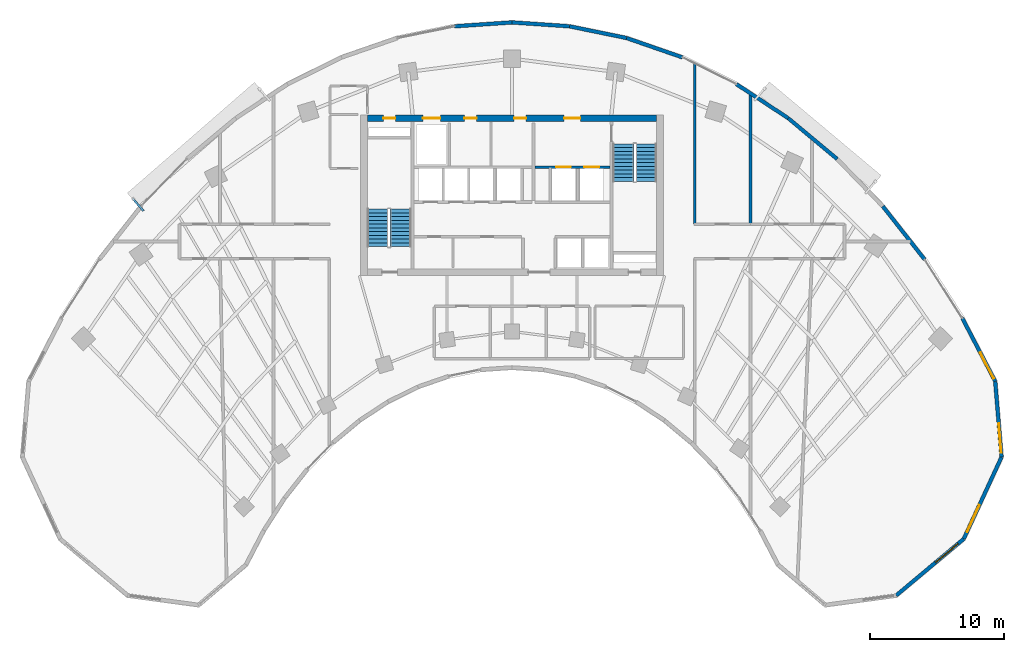
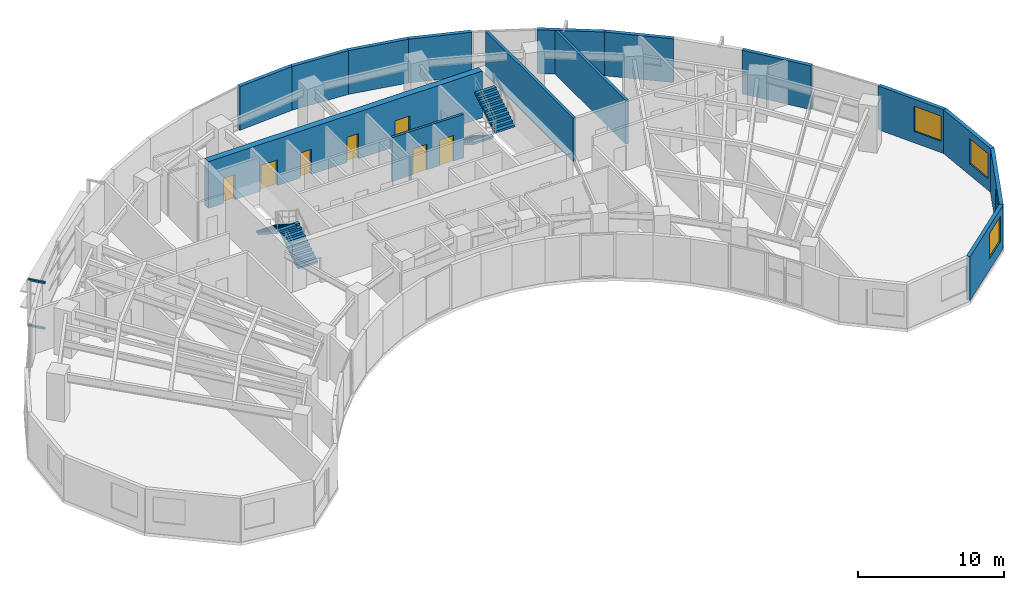
# One storey, part 11 of 14: 15 walls, 7 doors, 4 stair flights, 4 windows, 2 discrete accessories, 11 openings, 2 elements without a shape of their own.
"""IFC4 building model written with IfcOpenShell, lengths in metres."""

from ifc_helpers import new_model, si_unit, direction, frame, frame_2d, origin, origin_2d, place, context, subcontext, project, spatial, polyline, rectangle, outline, extrude, source, transform, mapped, material, layer, layer_set, type_object, type_shapes, element, fill, aggregate, save


model = new_model("IFC4")

# Units and contexts
model_context = context("Model", 3, precision=1e-05, world=origin(), true_north=direction((0.0, 1.0)))
body_context = subcontext(model_context, "Body", "Model", "MODEL_VIEW")
ifc_project = project(units=[si_unit("LENGTHUNIT", "METRE"), si_unit("AREAUNIT", "SQUARE_METRE"), si_unit("VOLUMEUNIT", "CUBIC_METRE"), si_unit("PLANEANGLEUNIT", "RADIAN"), si_unit("MASSUNIT", "GRAM", prefix="KILO")], contexts=[model_context])

# Site, building, storey
site_placement = place(None, origin())
site = spatial("IfcSite", under=ifc_project, at=site_placement, CompositionType="ELEMENT")
building_placement = place(site_placement, origin())
building = spatial("IfcBuilding", under=site, at=building_placement, Name="Breltana Convention Tower", CompositionType="ELEMENT")
storey_placement = place(building_placement, frame((0.0, 0.0, 138.89990234375)))
storey = spatial("IfcBuildingStorey", under=building, at=storey_placement, Name="L33", CompositionType="ELEMENT", Elevation=138.89990234375)

# Wall, openings, doors
ifc_material_1 = material(Name="Concrete C60/75", Category="concrete")
ifc_layer_1 = layer(ifc_material_1, 0.5, Name="Concrete C60/75")
ifc_layer_set_1 = layer_set([ifc_layer_1], Name="Concrete C60/75")
wall_type_1 = type_object("IfcWallType", Name="SW-CORE-500", PredefinedType="SHEAR", material=ifc_layer_set_1)
shared_shape_1 = source(origin(), body_context, "Body", "SweptSolid", [
    extrude(rectangle(XDim=21.60009765625, YDim=0.5, at=frame_2d((10.800048828125, 0.0))), origin(), (0.0, 0.0, 1.0), 3.900146484375),
])
wall_1_placement = place(storey_placement, frame((37.199951171875, 71.949951171875, 0.0), z_axis=(0.0, 0.0, 1.0), x_axis=(1.0, 0.0, 0.0)))
wall_1 = element("IfcWall", 1, at=wall_1_placement, inside=storey, type_object=wall_type_1, Name="L33 North Core Shear Wall", PredefinedType="SHEAR", context=body_context, shape_type="MappedRepresentation", body=[
    mapped(shared_shape_1, transform((0.0, 0.0, 0.0), scale=1.0)),
])
opening_1_placement = place(wall_1_placement, frame((1.199951171875, 0.0, 0.0)))
opening_1 = element("IfcOpeningElement", 2, at=opening_1_placement, cuts=wall_1, Name="Opening D-18", PredefinedType="OPENING", context=body_context, shape_type="SweptSolid", body=[
    extrude(rectangle(XDim=0.89990234375, YDim=2.10009765625, at=frame_2d((0.449951171875, 1.050048828125))), frame((0.0, 0.260009765625, 0.0), z_axis=(0.0, -1.0, 0.0), x_axis=(1.0, 0.0, 0.0)), (0.0, 0.0, 1.0), 0.52001953125),
])
opening_2_placement = place(wall_1_placement, frame((14.699951171875, 0.0, 0.0)))
opening_2 = element("IfcOpeningElement", 3, at=opening_2_placement, cuts=wall_1, Name="Opening D-09", PredefinedType="OPENING", context=body_context, shape_type="SweptSolid", body=[
    extrude(rectangle(XDim=1.199951171875, YDim=2.14990234375, at=frame_2d((0.60009765625, 1.074951171875))), frame((0.0, 0.260009765625, 0.0), z_axis=(0.0, -1.0, 0.0), x_axis=(1.0, 0.0, 0.0)), (0.0, 0.0, 1.0), 0.52001953125),
])
opening_3_placement = place(wall_1_placement, frame((4.14990234375, 0.0, 0.0)))
opening_3 = element("IfcOpeningElement", 4, at=opening_3_placement, cuts=wall_1, Name="Opening LD-01", PredefinedType="OPENING", context=body_context, shape_type="SweptSolid", body=[
    extrude(rectangle(XDim=1.300048828125, YDim=2.14990234375, at=frame_2d((0.64990234375, 1.074951171875))), frame((0.0, 0.260009765625, 0.0), z_axis=(0.0, -1.0, 0.0), x_axis=(1.0, 0.0, 0.0)), (0.0, 0.0, 1.0), 0.52001953125),
])
opening_4_placement = place(wall_1_placement, frame((7.25, 0.0, 0.0)))
opening_4 = element("IfcOpeningElement", 5, at=opening_4_placement, cuts=wall_1, Name="Opening D-18", PredefinedType="OPENING", context=body_context, shape_type="SweptSolid", body=[
    extrude(rectangle(XDim=0.89990234375, YDim=2.10009765625, at=frame_2d((0.449951171875, 1.050048828125))), frame((0.0, 0.260009765625, 0.0), z_axis=(0.0, -1.0, 0.0), x_axis=(1.0, 0.0, 0.0)), (0.0, 0.0, 1.0), 0.52001953125),
])
opening_5_placement = place(wall_1_placement, frame((10.949951171875, 0.0, 0.0)))
opening_5 = element("IfcOpeningElement", 6, at=opening_5_placement, cuts=wall_1, Name="Opening D-18", PredefinedType="OPENING", context=body_context, shape_type="SweptSolid", body=[
    extrude(rectangle(XDim=0.89990234375, YDim=2.10009765625, at=frame_2d((0.449951171875, 1.050048828125))), frame((0.0, 0.260009765625, 0.0), z_axis=(0.0, -1.0, 0.0), x_axis=(1.0, 0.0, 0.0)), (0.0, 0.0, 1.0), 0.52001953125),
])
ifc_material_2 = material(Name="Steel Riser Fire Door", Category="steel")
door_type_1 = type_object("IfcDoorType", Name="DR-FD60-900", OperationType="NOTDEFINED", PredefinedType="DOOR", material=ifc_material_2)
shared_shape_2 = source(origin(), body_context, "Body", "SweptSolid", [
    extrude(rectangle(XDim=0.89990234375, YDim=2.10009765625, at=frame_2d((0.449951171875, 1.050048828125))), frame((0.0, 0.02490234375, 0.0), z_axis=(0.0, -1.0, 0.0), x_axis=(1.0, 0.0, 0.0)), (0.0, 0.0, 1.0), 0.050048828125),
])
type_shapes(door_type_1, [shared_shape_2])
door_1_placement = place(opening_1_placement, origin())
door_1 = element("IfcDoor", 7, at=door_1_placement, inside=storey, type_object=door_type_1, Name="L33 Core Riser Access Door D-L33-RS1", OperationType="SINGLE_SWING_LEFT", OverallHeight=2.10009765625, OverallWidth=0.89990234375, PredefinedType="DOOR", context=body_context, shape_type="MappedRepresentation", body=[
    mapped(shared_shape_2, transform((0.0, 0.0, 0.0), scale=1.0)),
])
fill(opening_1, door_1)
door_2_placement = place(opening_4_placement, origin())
door_2 = element("IfcDoor", 8, at=door_2_placement, inside=storey, type_object=door_type_1, Name="L33 interior door D-L33-CRA1", OperationType="SINGLE_SWING_LEFT", OverallHeight=2.10009765625, OverallWidth=0.89990234375, PredefinedType="DOOR", context=body_context, shape_type="MappedRepresentation", body=[
    mapped(shared_shape_2, transform((0.0, 0.0, 0.0), scale=1.0)),
])
fill(opening_4, door_2)
door_3_placement = place(opening_5_placement, origin())
door_3 = element("IfcDoor", 9, at=door_3_placement, inside=storey, type_object=door_type_1, Name="L33 interior door D-L33-CRA2", OperationType="SINGLE_SWING_RIGHT", OverallHeight=2.10009765625, OverallWidth=0.89990234375, PredefinedType="DOOR", context=body_context, shape_type="MappedRepresentation", body=[
    mapped(shared_shape_2, transform((0.0, 0.0, 0.0), scale=1.0)),
])
fill(opening_5, door_3)
ifc_material_3 = material(Name="Steel Fire Lobby Door", Category="steel")
door_type_2 = type_object("IfcDoorType", Name="DR-FD120-1200", OperationType="NOTDEFINED", PredefinedType="DOOR", material=ifc_material_3)
shared_shape_3 = source(origin(), body_context, "Body", "SweptSolid", [
    extrude(rectangle(XDim=1.199951171875, YDim=2.14990234375, at=frame_2d((0.60009765625, 1.074951171875))), frame((0.0, 0.02490234375, 0.0), z_axis=(0.0, -1.0, 0.0), x_axis=(1.0, 0.0, 0.0)), (0.0, 0.0, 1.0), 0.050048828125),
])
type_shapes(door_type_2, [shared_shape_3])
door_4_placement = place(opening_2_placement, origin())
door_4 = element("IfcDoor", 10, at=door_4_placement, inside=storey, type_object=door_type_2, Name="L33 interior door D-L33-FFL-N", OperationType="SINGLE_SWING_RIGHT", OverallHeight=2.14990234375, OverallWidth=1.199951171875, PredefinedType="DOOR", context=body_context, shape_type="MappedRepresentation", body=[
    mapped(shared_shape_3, transform((0.0, 0.0, 0.0), scale=1.0)),
])
fill(opening_2, door_4)
ifc_material_4 = material(Name="Stainless Steel Brushed", Category="steel")
door_type_3 = type_object("IfcDoorType", Name="DR-LD-SRV-1300", OperationType="DOUBLE_DOOR_SLIDING", PredefinedType="DOOR", material=ifc_material_4)
shared_shape_4 = source(origin(), body_context, "Body", "SweptSolid", [
    extrude(rectangle(XDim=1.300048828125, YDim=2.14990234375, at=frame_2d((0.64990234375, 1.074951171875))), frame((0.0, 0.02490234375, 0.0), z_axis=(0.0, -1.0, 0.0), x_axis=(1.0, 0.0, 0.0)), (0.0, 0.0, 1.0), 0.050048828125),
])
type_shapes(door_type_3, [shared_shape_4])
door_5_placement = place(opening_3_placement, origin())
door_5 = element("IfcDoor", 11, at=door_5_placement, inside=storey, type_object=door_type_3, Name="L33 Lift Landing Door D-L33-LD-SV1", OperationType="DOUBLE_DOOR_SLIDING", OverallHeight=2.14990234375, OverallWidth=1.300048828125, PredefinedType="DOOR", context=body_context, shape_type="MappedRepresentation", body=[
    mapped(shared_shape_4, transform((0.0, 0.0, 0.0), scale=1.0)),
])
fill(opening_3, door_5)

# Wall, opening, window
ifc_material_5 = material(Name="Limestone Buff Insulated Wall", Category="masonry")
ifc_layer_2 = layer(ifc_material_5, 0.280029296875, Name="Limestone Buff Insulated Wall")
ifc_layer_set_2 = layer_set([ifc_layer_2], Name="Limestone Buff Insulated Wall")
wall_type_2 = type_object("IfcWallType", Name="WL-EXT-NOSE-280", PredefinedType="SOLIDWALL", material=ifc_layer_set_2)
shared_shape_5 = source(origin(), body_context, "Body", "SweptSolid", [
    extrude(rectangle(XDim=5.673583984375, YDim=0.280029296875, at=frame_2d((2.8369140625, 0.0))), origin(), (0.0, 0.0, 1.0), 3.650146484375),
])
wall_2_placement = place(storey_placement, frame((84.07763671875, 52.305419921875, 0.0), z_axis=(0.0, 0.0, 1.0), x_axis=(0.083309007867, -0.996523762491, 0.0)))
wall_2 = element("IfcWall", 12, at=wall_2_placement, inside=storey, type_object=wall_type_2, Name="L33 curved limestone nose wall E1", PredefinedType="SOLIDWALL", context=body_context, shape_type="MappedRepresentation", body=[
    mapped(shared_shape_5, transform((0.0, 0.0, 0.0), scale=1.0)),
])
opening_6_placement = place(wall_2_placement, frame((3.155029296875, 0.0, 0.949951171875)))
opening_6 = element("IfcOpeningElement", 13, at=opening_6_placement, cuts=wall_2, Name="Opening W-03", PredefinedType="OPENING", context=body_context, shape_type="SweptSolid", body=[
    extrude(rectangle(XDim=2.199951171875, YDim=2.10009765625, at=frame_2d((1.10009765625, 1.050048828125))), frame((0.0, 0.14990234375, 0.0), z_axis=(0.0, -1.0, 0.0), x_axis=(1.0, 0.0, 0.0)), (0.0, 0.0, 1.0), 0.300048828125),
])
ifc_material_6 = material(Name="Glass Low-E Insulated Window", Category="glass")
window_type = type_object("IfcWindowType", Name="WN-NOSE-2200X2100", PartitioningType="TRIPLE_PANEL_VERTICAL", PredefinedType="WINDOW", material=ifc_material_6)
shared_shape_6 = source(origin(), body_context, "Body", "SweptSolid", [
    extrude(rectangle(XDim=2.199951171875, YDim=2.10009765625, at=frame_2d((1.10009765625, 1.050048828125))), frame((0.0, 0.030029296875, 0.0), z_axis=(0.0, -1.0, 0.0), x_axis=(1.0, 0.0, 0.0)), (0.0, 0.0, 1.0), 0.06005859375),
])
type_shapes(window_type, [shared_shape_6])
window_1_placement = place(opening_6_placement, origin())
window_1 = element("IfcWindow", 14, at=window_1_placement, inside=storey, type_object=window_type, Name="L33 nose window E1", OverallHeight=2.10009765625, OverallWidth=2.199951171875, PartitioningType="TRIPLE_PANEL_VERTICAL", PredefinedType="WINDOW", context=body_context, shape_type="MappedRepresentation", body=[
    mapped(shared_shape_6, transform((0.0, 0.0, 0.0), scale=1.0)),
])
fill(opening_6, window_1)

shared_shape_7 = source(origin(), body_context, "Body", "SweptSolid", [
    extrude(rectangle(XDim=6.731689453125, YDim=0.280029296875, at=frame_2d((3.36572265625, 0.0))), origin(), (0.0, 0.0, 1.0), 3.650146484375),
])
wall_3_placement = place(storey_placement, frame((84.55029296875, 46.651611328125, 0.0), z_axis=(0.0, 0.0, 1.0), x_axis=(-0.419644552709, -0.907688520023, 0.0)))
wall_3 = element("IfcWall", 15, at=wall_3_placement, inside=storey, type_object=wall_type_2, Name="L33 curved limestone nose wall E2", PredefinedType="SOLIDWALL", context=body_context, shape_type="MappedRepresentation", body=[
    mapped(shared_shape_7, transform((0.0, 0.0, 0.0), scale=1.0)),
])
opening_7_placement = place(wall_3_placement, frame((3.948974609375, 0.0, 0.949951171875)))
opening_7 = element("IfcOpeningElement", 16, at=opening_7_placement, cuts=wall_3, Name="Opening W-03", PredefinedType="OPENING", context=body_context, shape_type="SweptSolid", body=[
    extrude(rectangle(XDim=2.199951171875, YDim=2.10009765625, at=frame_2d((1.10009765625, 1.050048828125))), frame((0.0, 0.14990234375, 0.0), z_axis=(0.0, -1.0, 0.0), x_axis=(1.0, 0.0, 0.0)), (0.0, 0.0, 1.0), 0.300048828125),
])
window_2_placement = place(opening_7_placement, origin())
window_2 = element("IfcWindow", 17, at=window_2_placement, inside=storey, type_object=window_type, Name="L33 nose window E2", OverallHeight=2.10009765625, OverallWidth=2.199951171875, PartitioningType="TRIPLE_PANEL_VERTICAL", PredefinedType="WINDOW", context=body_context, shape_type="MappedRepresentation", body=[
    mapped(shared_shape_6, transform((0.0, 0.0, 0.0), scale=1.0)),
])
fill(opening_7, window_2)

shared_shape_8 = source(origin(), body_context, "Body", "SweptSolid", [
    extrude(rectangle(XDim=6.572998046875, YDim=0.280029296875, at=frame_2d((3.28662109375, 0.0))), origin(), (0.0, 0.0, 1.0), 3.650146484375),
])
wall_4_placement = place(storey_placement, frame((81.725341796875, 40.541259765625, 0.0), z_axis=(0.0, 0.0, 1.0), x_axis=(-0.766715154163, -0.641987439423, 0.0)))
wall_4 = element("IfcWall", 18, at=wall_4_placement, inside=storey, type_object=wall_type_2, Name="L33 curved limestone nose wall E3", PredefinedType="SOLIDWALL", context=body_context, shape_type="MappedRepresentation", body=[
    mapped(shared_shape_8, transform((0.0, 0.0, 0.0), scale=1.0)),
])
opening_8_placement = place(wall_4_placement, frame((0.543212890625, 0.0, 0.949951171875)))
opening_8 = element("IfcOpeningElement", 19, at=opening_8_placement, cuts=wall_4, Name="Opening W-03", PredefinedType="OPENING", context=body_context, shape_type="SweptSolid", body=[
    extrude(rectangle(XDim=2.199951171875, YDim=2.10009765625, at=frame_2d((1.10009765625, 1.050048828125))), frame((0.0, 0.14990234375, 0.0), z_axis=(0.0, -1.0, 0.0), x_axis=(1.0, 0.0, 0.0)), (0.0, 0.0, 1.0), 0.300048828125),
])
window_3_placement = place(opening_8_placement, origin())
window_3 = element("IfcWindow", 20, at=window_3_placement, inside=storey, type_object=window_type, Name="L33 nose window E3", OverallHeight=2.10009765625, OverallWidth=2.199951171875, PartitioningType="TRIPLE_PANEL_VERTICAL", PredefinedType="WINDOW", context=body_context, shape_type="MappedRepresentation", body=[
    mapped(shared_shape_6, transform((0.0, 0.0, 0.0), scale=1.0)),
])
fill(opening_8, window_3)

shared_shape_9 = source(origin(), body_context, "Body", "SweptSolid", [
    extrude(rectangle(XDim=5.315185546875, YDim=0.280029296875, at=frame_2d((2.65771484375, 0.0))), origin(), (0.0, 0.0, 1.0), 3.650146484375),
])
wall_5_placement = place(storey_placement, frame((81.623291015625, 57.02001953125, 0.0), z_axis=(0.0, 0.0, 1.0), x_axis=(0.461760527822, -0.887004630735, 0.0)))
wall_5 = element("IfcWall", 21, at=wall_5_placement, inside=storey, type_object=wall_type_2, Name="L33 curved limestone nose wall E33", PredefinedType="SOLIDWALL", context=body_context, shape_type="MappedRepresentation", body=[
    mapped(shared_shape_9, transform((0.0, 0.0, 0.0), scale=1.0)),
])
opening_9_placement = place(wall_5_placement, frame((2.886474609375, 0.0, 0.949951171875)))
opening_9 = element("IfcOpeningElement", 22, at=opening_9_placement, cuts=wall_5, Name="Opening W-03", PredefinedType="OPENING", context=body_context, shape_type="SweptSolid", body=[
    extrude(rectangle(XDim=2.199951171875, YDim=2.10009765625, at=frame_2d((1.10009765625, 1.050048828125))), frame((0.0, 0.14990234375, 0.0), z_axis=(0.0, -1.0, 0.0), x_axis=(1.0, 0.0, 0.0)), (0.0, 0.0, 1.0), 0.300048828125),
])
window_4_placement = place(opening_9_placement, origin())
window_4 = element("IfcWindow", 23, at=window_4_placement, inside=storey, type_object=window_type, Name="L33 nose window E33", OverallHeight=2.10009765625, OverallWidth=2.199951171875, PartitioningType="TRIPLE_PANEL_VERTICAL", PredefinedType="WINDOW", context=body_context, shape_type="MappedRepresentation", body=[
    mapped(shared_shape_6, transform((0.0, 0.0, 0.0), scale=1.0)),
])
fill(opening_9, window_4)

# Walls
shared_shape_10 = source(origin(), body_context, "Body", "SweptSolid", [
    extrude(rectangle(XDim=5.05810546875, YDim=0.280029296875, at=frame_2d((2.529052734375, 0.0))), origin(), (0.0, 0.0, 1.0), 3.650146484375),
])
wall_6_placement = place(storey_placement, frame((75.684814453125, 65.37646484375, 0.0), z_axis=(0.0, 0.0, 1.0), x_axis=(0.618145507434, -0.786063694391, 0.0)))
element("IfcWall", 24, at=wall_6_placement, inside=storey, type_object=wall_type_2, Name="L33 curved limestone nose wall E32", PredefinedType="SOLIDWALL", context=body_context, shape_type="MappedRepresentation", body=[
    mapped(shared_shape_10, transform((0.0, 0.0, 0.0), scale=1.0)),
])
shared_shape_11 = source(origin(), body_context, "Body", "SweptSolid", [
    extrude(rectangle(XDim=4.76220703125, YDim=0.280029296875, at=frame_2d((2.381103515625, 0.0))), origin(), (0.0, 0.0, 1.0), 3.650146484375),
])
wall_7_placement = place(storey_placement, frame((68.6181640625, 71.957763671875, 0.0), z_axis=(0.0, 0.0, 1.0), x_axis=(0.767952279762, -0.640507061638, 0.0)))
element("IfcWall", 25, at=wall_7_placement, inside=storey, type_object=wall_type_2, Name="L33 curved limestone nose wall E30", PredefinedType="SOLIDWALL", context=body_context, shape_type="MappedRepresentation", body=[
    mapped(shared_shape_11, transform((0.0, 0.0, 0.0), scale=1.0)),
])
shared_shape_12 = source(origin(), body_context, "Body", "SweptSolid", [
    extrude(rectangle(XDim=4.625732421875, YDim=0.280029296875, at=frame_2d((2.31298828125, 0.0))), origin(), (0.0, 0.0, 1.0), 3.650146484375),
])
wall_8_placement = place(storey_placement, frame((64.751220703125, 74.496337890625, 0.0), z_axis=(0.0, 0.0, 1.0), x_axis=(0.83595938331, -0.548791316855, 0.0)))
element("IfcWall", 26, at=wall_8_placement, inside=storey, type_object=wall_type_2, Name="L33 curved limestone nose wall E29", PredefinedType="SOLIDWALL", context=body_context, shape_type="MappedRepresentation", body=[
    mapped(shared_shape_12, transform((0.0, 0.0, 0.0), scale=1.0)),
])
shared_shape_13 = source(origin(), body_context, "Body", "SweptSolid", [
    extrude(rectangle(XDim=4.408935546875, YDim=0.280029296875, at=frame_2d((2.20458984375, 0.0))), origin(), (0.0, 0.0, 1.0), 3.650146484375),
])
wall_9_placement = place(storey_placement, frame((56.54833984375, 77.94091796875, 0.0), z_axis=(0.0, 0.0, 1.0), x_axis=(0.944879374121, -0.327418643881, 0.0)))
element("IfcWall", 27, at=wall_9_placement, inside=storey, type_object=wall_type_2, Name="L33 curved limestone nose wall E28", PredefinedType="SOLIDWALL", context=body_context, shape_type="MappedRepresentation", body=[
    mapped(shared_shape_13, transform((0.0, 0.0, 0.0), scale=1.0)),
])
shared_shape_14 = source(origin(), body_context, "Body", "SweptSolid", [
    extrude(rectangle(XDim=4.3408203125, YDim=0.280029296875, at=frame_2d((2.17041015625, 0.0))), origin(), (0.0, 0.0, 1.0), 3.650146484375),
])
wall_10_placement = place(storey_placement, frame((52.2958984375, 78.81298828125, 0.0), z_axis=(0.0, 0.0, 1.0), x_axis=(0.979612918634, -0.20089432457, 0.0)))
element("IfcWall", 28, at=wall_10_placement, inside=storey, type_object=wall_type_2, Name="L33 curved limestone nose wall E27", PredefinedType="SOLIDWALL", context=body_context, shape_type="MappedRepresentation", body=[
    mapped(shared_shape_14, transform((0.0, 0.0, 0.0), scale=1.0)),
])
shared_shape_15 = source(origin(), body_context, "Body", "SweptSolid", [
    extrude(rectangle(XDim=4.3056640625, YDim=0.280029296875, at=frame_2d((2.15283203125, 0.0))), origin(), (0.0, 0.0, 1.0), 3.650146484375),
])
for number, where, z_axis, x_axis, name in (
    (29, (43.7041015625, 78.81298828125, 0.0), (0.0, 0.0, 1.0), (0.997705679258, 0.067700646797, 0.0), "L33 curved limestone nose wall E25"),
    (30, (48.0, 79.1044921875, 0.0), (0.0, 0.0, 1.0), (0.997705679258, -0.067700646797, 0.0), "L33 curved limestone nose wall E26"),
):
    element("IfcWall", number, at=place(storey_placement, frame(where, z_axis=z_axis, x_axis=x_axis)), inside=storey, type_object=wall_type_2, Name=name, PredefinedType="SOLIDWALL", context=body_context, shape_type="MappedRepresentation", body=[
        mapped(shared_shape_15, transform((0.0, 0.0, 0.0), scale=1.0)),
    ])

# Wall, openings, doors
ifc_material_7 = material(Name="Autoclaved Aerated Concrete Block", Category="concrete")
ifc_layer_3 = layer(ifc_material_7, 0.199951171875, Name="Autoclaved Aerated Concrete Block")
ifc_layer_set_3 = layer_set([ifc_layer_3], Name="Autoclaved Aerated Concrete Block")
wall_type_3 = type_object("IfcWallType", Name="WL-SHAFT-200", PredefinedType="SOLIDWALL", material=ifc_layer_set_3)
shared_shape_16 = source(origin(), body_context, "Body", "SweptSolid", [
    extrude(rectangle(XDim=5.6201171875, YDim=0.199951171875, at=frame_2d((2.81005859375, 0.0))), origin(), (0.0, 0.0, 1.0), 3.650146484375),
])
wall_11_placement = place(storey_placement, frame((49.699951171875, 68.300048828125, 0.0), z_axis=(0.0, 0.0, 1.0), x_axis=(1.0, 0.0, 0.0)))
wall_11 = element("IfcWall", 31, at=wall_11_placement, inside=storey, type_object=wall_type_3, Name="L33 interior partition W-L33-FFL-S", PredefinedType="SOLIDWALL", context=body_context, shape_type="MappedRepresentation", body=[
    mapped(shared_shape_16, transform((0.0, 0.0, 0.0), scale=1.0)),
])
opening_10_placement = place(wall_11_placement, frame((1.60009765625, 0.0, 0.0)))
opening_10 = element("IfcOpeningElement", 32, at=opening_10_placement, cuts=wall_11, Name="Opening LD-03", PredefinedType="OPENING", context=body_context, shape_type="SweptSolid", body=[
    extrude(rectangle(XDim=1.10009765625, YDim=2.14990234375, at=frame_2d((0.550048828125, 1.074951171875))), frame((0.0, 0.10986328125, 0.0), z_axis=(0.0, -1.0, 0.0), x_axis=(1.0, 0.0, 0.0)), (0.0, 0.0, 1.0), 0.219970703125),
])
opening_11_placement = place(wall_11_placement, frame((3.699951171875, 0.0, 0.0)))
opening_11 = element("IfcOpeningElement", 33, at=opening_11_placement, cuts=wall_11, Name="Opening LD-03", PredefinedType="OPENING", context=body_context, shape_type="SweptSolid", body=[
    extrude(rectangle(XDim=1.10009765625, YDim=2.14990234375, at=frame_2d((0.550048828125, 1.074951171875))), frame((0.0, 0.10986328125, 0.0), z_axis=(0.0, -1.0, 0.0), x_axis=(1.0, 0.0, 0.0)), (0.0, 0.0, 1.0), 0.219970703125),
])
door_type_4 = type_object("IfcDoorType", Name="DR-LD-FF-1100", OperationType="DOUBLE_DOOR_SLIDING", PredefinedType="DOOR", material=ifc_material_4)
shared_shape_17 = source(origin(), body_context, "Body", "SweptSolid", [
    extrude(rectangle(XDim=1.10009765625, YDim=2.14990234375, at=frame_2d((0.550048828125, 1.074951171875))), frame((0.0, 0.02490234375, 0.0), z_axis=(0.0, -1.0, 0.0), x_axis=(1.0, 0.0, 0.0)), (0.0, 0.0, 1.0), 0.050048828125),
])
type_shapes(door_type_4, [shared_shape_17])
door_6_placement = place(opening_10_placement, origin())
door_6 = element("IfcDoor", 34, at=door_6_placement, inside=storey, type_object=door_type_4, Name="L33 Lift Landing Door D-L33-LD-FL1", OperationType="DOUBLE_DOOR_SLIDING", OverallHeight=2.14990234375, OverallWidth=1.10009765625, PredefinedType="DOOR", context=body_context, shape_type="MappedRepresentation", body=[
    mapped(shared_shape_17, transform((0.0, 0.0, 0.0), scale=1.0)),
])
fill(opening_10, door_6)
door_7_placement = place(opening_11_placement, origin())
door_7 = element("IfcDoor", 35, at=door_7_placement, inside=storey, type_object=door_type_4, Name="L33 Lift Landing Door D-L33-LD-FL2", OperationType="DOUBLE_DOOR_SLIDING", OverallHeight=2.14990234375, OverallWidth=1.10009765625, PredefinedType="DOOR", context=body_context, shape_type="MappedRepresentation", body=[
    mapped(shared_shape_17, transform((0.0, 0.0, 0.0), scale=1.0)),
])
fill(opening_11, door_7)

# Walls
ifc_material_8 = material(Name="Autoclaved Aerated Masonry Blockwork", Category="masonry")
ifc_layer_4 = layer(ifc_material_8, 0.2099609375, Name="Autoclaved Aerated Masonry Blockwork")
ifc_layer_set_4 = layer_set([ifc_layer_4], Name="Autoclaved Aerated Masonry Blockwork")
wall_type_4 = type_object("IfcWallType", Name="WL-PART-200", PredefinedType="PARTITIONING", material=ifc_layer_set_4)
shared_shape_18 = source(origin(), body_context, "Body", "SweptSolid", [
    extrude(rectangle(XDim=9.73583984375, YDim=0.2099609375, at=frame_2d((4.867919921875, 0.0))), origin(), (0.0, 0.0, 1.0), 3.650146484375),
])
wall_12_placement = place(storey_placement, frame((65.800048828125, 64.06005859375, 0.0), z_axis=(0.0, 0.0, 1.0), x_axis=(0.0, 1.0, 0.0)))
element("IfcWall", 36, at=wall_12_placement, inside=storey, type_object=wall_type_4, Name="L33 interior partition W-L33-ZEN1-E", PredefinedType="PARTITIONING", context=body_context, shape_type="MappedRepresentation", body=[
    mapped(shared_shape_18, transform((0.0, 0.0, 0.0), scale=1.0)),
])
shared_shape_19 = source(origin(), body_context, "Body", "SweptSolid", [
    extrude(rectangle(XDim=11.9873046875, YDim=0.2099609375, at=frame_2d((5.99365234375, 0.0))), origin(), (0.0, 0.0, 1.0), 3.650146484375),
])
wall_13_placement = place(storey_placement, frame((61.639892578125, 64.0400390625, 0.0), z_axis=(0.0, 0.0, 1.0), x_axis=(0.0, 1.0, 0.0)))
element("IfcWall", 37, at=wall_13_placement, inside=storey, type_object=wall_type_4, Name="L33 interior partition W-L33-ZODD-EN", PredefinedType="PARTITIONING", context=body_context, shape_type="MappedRepresentation", body=[
    mapped(shared_shape_19, transform((0.0, 0.0, 0.0), scale=1.0)),
])

# Stair, stair flights
ifc_material_9 = material(Name="Concrete C40/50", Category="concrete")
stair_type = type_object("IfcStairType", Name="ST-DOG-1560-R177", PredefinedType="HALF_TURN_STAIR", material=ifc_material_9)
stair_1_placement = place(storey_placement, origin())
stair_1 = element("IfcStair", 38, at=stair_1_placement, inside=storey, type_object=stair_type, Name="L33 Protected Core Exit Stair ST-1", PredefinedType="HALF_TURN_STAIR")
stair_flight_type = type_object("IfcStairFlightType", Name="STF-DOG-1560-N11-R177", PredefinedType="STRAIGHT", material=ifc_material_9)
stair_flight_1_placement = place(storey_placement, frame((39.68994140625, 62.360107421875, 0.0), z_axis=(0.0, 0.0, 1.0), x_axis=(0.0, 1.0, 0.0)))
stair_flight_1 = element("IfcStairFlight", 39, at=stair_flight_1_placement, type_object=stair_flight_type, Name="ST-1 flight 1", NumberOfRisers=11, NumberOfTreads=10, PredefinedType="STRAIGHT", RiserHeight=0.177272727, TreadLength=0.28, context=body_context, shape_type="SweptSolid", body=[
    extrude(outline(polyline([(0.0, 0.0), (0.0, 0.17724609375), (0.280029296875, 0.17724609375), (0.280029296875, 0.3544921875), (0.56005859375, 0.3544921875), (0.56005859375, 0.53173828125), (0.840087890625, 0.53173828125), (0.840087890625, 0.708984375), (1.1201171875, 0.708984375), (1.1201171875, 0.886474609375), (1.39990234375, 0.886474609375), (1.39990234375, 1.063720703125), (1.679931640625, 1.063720703125), (1.679931640625, 1.240966796875), (1.9599609375, 1.240966796875), (1.9599609375, 1.418212890625), (2.239990234375, 1.418212890625), (2.239990234375, 1.595458984375), (2.52001953125, 1.595458984375), (2.52001953125, 1.772705078125), (2.800048828125, 1.772705078125), (2.800048828125, 1.949951171875), (2.800048828125, 1.59521484375), (0.2802734375, 0.0), (0.0, 0.0)])), frame((0.0, 0.780029296875, 0.0), z_axis=(0.0, -1.0, 0.0), x_axis=(1.0, 0.0, 0.0)), (0.0, 0.0, 1.0), 1.56005859375),
])
stair_flight_2_placement = place(storey_placement, frame((37.97998046875, 65.159912109375, 1.9501953125), z_axis=(0.0, 0.0, 1.0), x_axis=(0.0, -1.0, 0.0)))
stair_flight_2 = element("IfcStairFlight", 40, at=stair_flight_2_placement, type_object=stair_flight_type, Name="ST-1 flight 2", NumberOfRisers=11, NumberOfTreads=10, PredefinedType="STRAIGHT", RiserHeight=0.177272727, TreadLength=0.28, context=body_context, shape_type="SweptSolid", body=[
    extrude(outline(polyline([(0.0, 0.0), (0.0, 0.17724609375), (0.280029296875, 0.17724609375), (0.280029296875, 0.3544921875), (0.56005859375, 0.3544921875), (0.56005859375, 0.53173828125), (0.840087890625, 0.53173828125), (0.840087890625, 0.708984375), (1.1201171875, 0.708984375), (1.1201171875, 0.886474609375), (1.39990234375, 0.886474609375), (1.39990234375, 1.063720703125), (1.679931640625, 1.063720703125), (1.679931640625, 1.240966796875), (1.9599609375, 1.240966796875), (1.9599609375, 1.418212890625), (2.239990234375, 1.418212890625), (2.239990234375, 1.595458984375), (2.52001953125, 1.595458984375), (2.52001953125, 1.772705078125), (2.800048828125, 1.772705078125), (2.800048828125, 1.949951171875), (2.800048828125, 1.59521484375), (0.2802734375, 0.0), (0.0, 0.0)])), frame((0.0, 0.780029296875, 0.0), z_axis=(0.0, -1.0, 0.0), x_axis=(1.0, 0.0, 0.0)), (0.0, 0.0, 1.0), 1.56005859375),
])
aggregate(stair_1, [stair_flight_1, stair_flight_2])

stair_2_placement = place(storey_placement, origin())
stair_2 = element("IfcStair", 41, at=stair_2_placement, inside=storey, type_object=stair_type, Name="L33 Protected Core Exit Stair ST-2", PredefinedType="HALF_TURN_STAIR")
stair_flight_3_placement = place(storey_placement, frame((56.31005859375, 70.0400390625, 0.0), z_axis=(0.0, 0.0, 1.0), x_axis=(0.0, -1.0, 0.0)))
stair_flight_3 = element("IfcStairFlight", 42, at=stair_flight_3_placement, type_object=stair_flight_type, Name="ST-2 flight 1", NumberOfRisers=11, NumberOfTreads=10, PredefinedType="STRAIGHT", RiserHeight=0.177272727, TreadLength=0.28, context=body_context, shape_type="SweptSolid", body=[
    extrude(outline(polyline([(0.0, 0.0), (0.0, 0.17724609375), (0.280029296875, 0.17724609375), (0.280029296875, 0.3544921875), (0.56005859375, 0.3544921875), (0.56005859375, 0.53173828125), (0.840087890625, 0.53173828125), (0.840087890625, 0.708984375), (1.1201171875, 0.708984375), (1.1201171875, 0.886474609375), (1.39990234375, 0.886474609375), (1.39990234375, 1.063720703125), (1.679931640625, 1.063720703125), (1.679931640625, 1.240966796875), (1.9599609375, 1.240966796875), (1.9599609375, 1.418212890625), (2.239990234375, 1.418212890625), (2.239990234375, 1.595458984375), (2.52001953125, 1.595458984375), (2.52001953125, 1.772705078125), (2.800048828125, 1.772705078125), (2.800048828125, 1.949951171875), (2.800048828125, 1.59521484375), (0.2802734375, 0.0), (0.0, 0.0)])), frame((0.0, 0.780029296875, 0.0), z_axis=(0.0, -1.0, 0.0), x_axis=(1.0, 0.0, 0.0)), (0.0, 0.0, 1.0), 1.56005859375),
])
stair_flight_4_placement = place(storey_placement, frame((58.02001953125, 67.239990234375, 1.9501953125), z_axis=(0.0, 0.0, 1.0), x_axis=(0.0, 1.0, 0.0)))
stair_flight_4 = element("IfcStairFlight", 43, at=stair_flight_4_placement, type_object=stair_flight_type, Name="ST-2 flight 2", NumberOfRisers=11, NumberOfTreads=10, PredefinedType="STRAIGHT", RiserHeight=0.177272727, TreadLength=0.28, context=body_context, shape_type="SweptSolid", body=[
    extrude(outline(polyline([(0.0, 0.0), (0.0, 0.17724609375), (0.280029296875, 0.17724609375), (0.280029296875, 0.3544921875), (0.56005859375, 0.3544921875), (0.56005859375, 0.53173828125), (0.840087890625, 0.53173828125), (0.840087890625, 0.708984375), (1.1201171875, 0.708984375), (1.1201171875, 0.886474609375), (1.39990234375, 0.886474609375), (1.39990234375, 1.063720703125), (1.679931640625, 1.063720703125), (1.679931640625, 1.240966796875), (1.9599609375, 1.240966796875), (1.9599609375, 1.418212890625), (2.239990234375, 1.418212890625), (2.239990234375, 1.595458984375), (2.52001953125, 1.595458984375), (2.52001953125, 1.772705078125), (2.800048828125, 1.772705078125), (2.800048828125, 1.949951171875), (2.800048828125, 1.59521484375), (0.2802734375, 0.0), (0.0, 0.0)])), frame((0.0, 0.780029296875, 0.0), z_axis=(0.0, -1.0, 0.0), x_axis=(1.0, 0.0, 0.0)), (0.0, 0.0, 1.0), 1.56005859375),
])
aggregate(stair_2, [stair_flight_3, stair_flight_4])

# Discrete accessories
ifc_material_10 = material(Name="Steel S355", Category="steel")
discrete_accessory_type = type_object("IfcDiscreteAccessoryType", Name="ACC-DSF-BRACKET-150", PredefinedType="BRACKET", material=ifc_material_10)
shared_shape_20 = source(origin(), body_context, "Body", "SweptSolid", [
    extrude(rectangle(XDim=1.239990234375, YDim=0.14990234375, at=origin_2d()), origin(), (0.0, 0.0, 1.0), 0.139892578125),
])
type_shapes(discrete_accessory_type, [shared_shape_20])
for number, where, z_axis, x_axis, name in (
    (44, (20.080322265625, 65.49853515625, -0.15966796875), (0.0, 0.0, 1.0), (-0.656454255701, 0.754365833115, 0.0), "L33 double-skin slab stand-off bracket 1.1B"),
    (45, (20.080322265625, 65.49853515625, 3.650390625), (0.0, 0.0, 1.0), (-0.656454255701, 0.754365833115, 0.0), "L33 double-skin slab stand-off bracket 1.1T"),
):
    element("IfcDiscreteAccessory", number, at=place(storey_placement, frame(where, z_axis=z_axis, x_axis=x_axis)), inside=storey, type_object=discrete_accessory_type, Name=name, PredefinedType="BRACKET", context=body_context, shape_type="MappedRepresentation", body=[
        mapped(shared_shape_20, transform((0.0, 0.0, 0.0), scale=1.0)),
    ])

save(model, "model.ifc")
